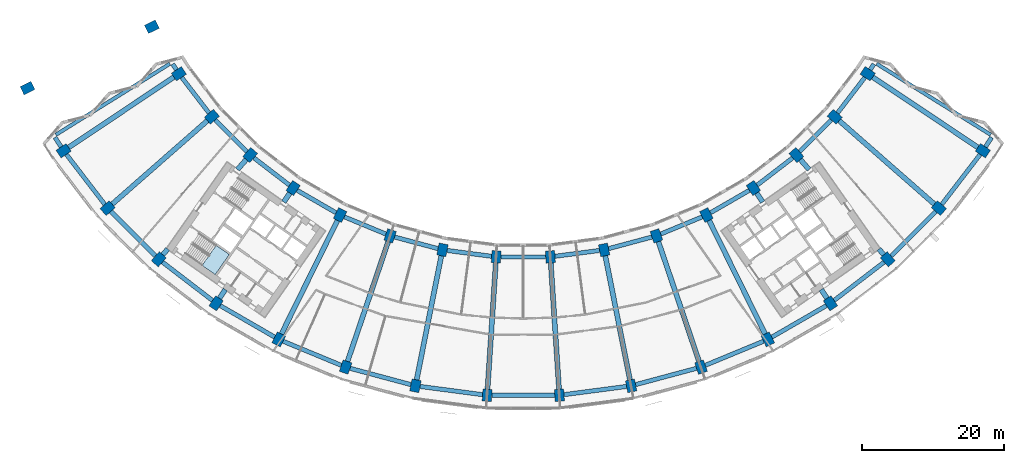
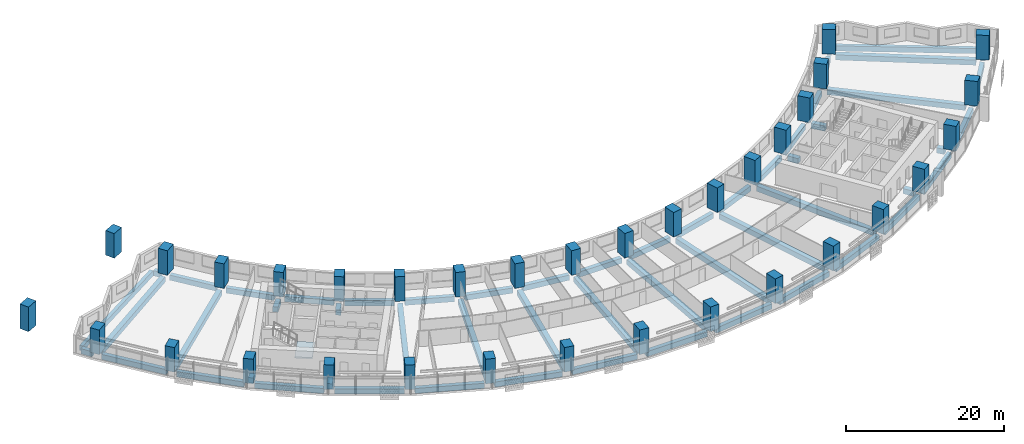
# One storey, part 1 of 31: 56 beams, 34 columns, 1 slab, 1 element without a shape of its own.
"""IFC4 building model written with IfcOpenShell, lengths in metres."""

from ifc_helpers import new_model, si_unit, direction, frame, origin, origin_2d, place, context, subcontext, project, spatial, polyline, rectangle, outline, extrude, material, layer, layer_set, material_profile, profile_set, type_object, element, aggregate, save


model = new_model("IFC4")

# Units and contexts
model_context = context("Model", 3, precision=1e-05, world=origin(), true_north=direction((0.0, 1.0)))
body_context = subcontext(model_context, "Body", "Model", "MODEL_VIEW")
ifc_project = project(units=[si_unit("LENGTHUNIT", "METRE"), si_unit("AREAUNIT", "SQUARE_METRE"), si_unit("VOLUMEUNIT", "CUBIC_METRE"), si_unit("PLANEANGLEUNIT", "RADIAN"), si_unit("MASSUNIT", "GRAM", prefix="KILO")], contexts=[model_context])

# Site, building, storey
site_placement = place(None, origin())
site = spatial("IfcSite", under=ifc_project, at=site_placement, CompositionType="ELEMENT")
building_placement = place(site_placement, origin())
building = spatial("IfcBuilding", under=site, at=building_placement, Name="Qamariyya Broadcast Tower", CompositionType="ELEMENT")
storey_placement = place(building_placement, frame((0.0, 0.0, 59.5)))
storey = spatial("IfcBuildingStorey", under=building, at=storey_placement, Name="L11", CompositionType="ELEMENT", Elevation=59.5)

# Columns
ifc_material_1 = material(Name="Concrete C70/85", Category="concrete")
ifc_material_profile_1 = material_profile(ifc_material_1, rectangle(XDim=1.300048828125, YDim=1.699951171875, at=origin_2d()))
ifc_profile_set_1 = profile_set([ifc_material_profile_1], Name="Concrete C70/85")
column_type = type_object("IfcColumnType", Name="RC column 1300 x 1700 C70/85", PredefinedType="COLUMN", material=ifc_profile_set_1)
for number, where, z_axis, x_axis, name in (
    (1, (-48.43310546875, -32.362060546875, 0.0), (0.0, 0.0, 1.0), (0.55557023302, -0.831469612303, 0.0), "Column C5 L11 B-R03"),
    (2, (-64.646728515625, -43.195556640625, 0.0), (0.0, 0.0, 1.0), (0.55557023302, -0.831469612303, 0.0), "Column C5 L11 C-R03"),
    (3, (-43.794677734375, -38.406982421875, 0.0), (0.0, 0.0, 1.0), (0.6593458151, -0.751839807479, 0.0), "Column C5 L11 B-R04"),
    (4, (-58.45556640625, -51.26416015625, 0.0), (0.0, 0.0, 1.0), (0.6593458151, -0.751839807479, 0.0), "Column C5 L11 C-R04"),
    (5, (-38.406982421875, -43.794677734375, 0.0), (0.0, 0.0, 1.0), (0.751839807479, -0.6593458151, 0.0), "Column C5 L11 B-R05"),
    (6, (-51.26416015625, -58.45556640625, 0.0), (0.0, 0.0, 1.0), (0.751839807479, -0.6593458151, 0.0), "Column C5 L11 C-R05"),
    (7, (-32.362060546875, -48.43310546875, 0.0), (0.0, 0.0, 1.0), (0.831469612303, -0.55557023302, 0.0), "Column C5 L11 B-R06"),
    (8, (-43.195556640625, -64.646728515625, 0.0), (0.0, 0.0, 1.0), (0.831469612303, -0.55557023302, 0.0), "Column C5 L11 C-R06"),
    (9, (-25.763427734375, -52.242919921875, 0.0), (0.0, 0.0, 1.0), (0.896872741533, -0.442288690219, 0.0), "Column C5 L11 B-R07"),
    (10, (-34.387939453125, -69.73193359375, 0.0), (0.0, 0.0, 1.0), (0.896872741533, -0.442288690219, 0.0), "Column C5 L11 C-R07"),
    (11, (-18.723876953125, -55.15869140625, 0.0), (0.0, 0.0, 1.0), (0.946930129495, -0.321439465303, 0.0), "Column C5 L11 B-R08"),
    (12, (-24.991943359375, -73.623779296875, 0.0), (0.0, 0.0, 1.0), (0.946930129495, -0.321439465303, 0.0), "Column C5 L11 C-R08"),
    (13, (-11.364013671875, -57.130859375, 0.0), (0.0, 0.0, 1.0), (0.980785280403, -0.195090322016, 0.0), "Column C5 L11 B-R09"),
    (14, (-15.168212890625, -76.256103515625, 0.0), (0.0, 0.0, 1.0), (0.980785280403, -0.195090322016, 0.0), "Column C5 L11 C-R09"),
    (15, (-3.809814453125, -58.125244140625, 0.0), (0.0, 0.0, 1.0), (0.997858923239, -0.06540312923, 0.0), "Column C5 L11 B-R10"),
    (16, (-5.085205078125, -77.58349609375, 0.0), (0.0, 0.0, 1.0), (0.997858923239, -0.06540312923, 0.0), "Column C5 L11 C-R10"),
    (17, (3.809814453125, -58.125244140625, 0.0), (0.0, 0.0, 1.0), (0.997858923239, 0.06540312923, 0.0), "Column C5 L11 B-R11"),
    (18, (5.085205078125, -77.58349609375, 0.0), (0.0, 0.0, 1.0), (0.997858923239, 0.06540312923, 0.0), "Column C5 L11 C-R11"),
    (19, (11.364013671875, -57.130859375, 0.0), (0.0, 0.0, 1.0), (0.980785280403, 0.195090322016, 0.0), "Column C5 L11 B-R12"),
    (20, (15.168212890625, -76.256103515625, 0.0), (0.0, 0.0, 1.0), (0.980785280403, 0.195090322016, 0.0), "Column C5 L11 C-R12"),
    (21, (18.723876953125, -55.15869140625, 0.0), (0.0, 0.0, 1.0), (0.946930129495, 0.321439465303, 0.0), "Column C5 L11 B-R13"),
    (22, (24.991943359375, -73.623779296875, 0.0), (0.0, 0.0, 1.0), (0.946930129495, 0.321439465303, 0.0), "Column C5 L11 C-R13"),
    (23, (25.763427734375, -52.242919921875, 0.0), (0.0, 0.0, 1.0), (0.896872741533, 0.442288690219, 0.0), "Column C5 L11 B-R14"),
    (24, (34.387939453125, -69.73193359375, 0.0), (0.0, 0.0, 1.0), (0.896872741533, 0.442288690219, 0.0), "Column C5 L11 C-R14"),
    (25, (32.362060546875, -48.43310546875, 0.0), (0.0, 0.0, 1.0), (0.831469612303, 0.55557023302, 0.0), "Column C5 L11 B-R15"),
    (26, (43.195556640625, -64.646728515625, 0.0), (0.0, 0.0, 1.0), (0.831469612303, 0.55557023302, 0.0), "Column C5 L11 C-R15"),
    (27, (38.406982421875, -43.794677734375, 0.0), (0.0, 0.0, 1.0), (0.751839807479, 0.6593458151, 0.0), "Column C5 L11 B-R16"),
    (28, (51.26416015625, -58.45556640625, 0.0), (0.0, 0.0, 1.0), (0.751839807479, 0.6593458151, 0.0), "Column C5 L11 C-R16"),
    (29, (43.794677734375, -38.406982421875, 0.0), (0.0, 0.0, 1.0), (0.6593458151, 0.751839807479, 0.0), "Column C5 L11 B-R17"),
    (30, (58.45556640625, -51.26416015625, 0.0), (0.0, 0.0, 1.0), (0.6593458151, 0.751839807479, 0.0), "Column C5 L11 C-R17"),
    (31, (48.43310546875, -32.362060546875, 0.0), (0.0, 0.0, 1.0), (0.55557023302, 0.831469612303, 0.0), "Column C5 L11 B-R18"),
    (32, (64.646728515625, -43.195556640625, 0.0), (0.0, 0.0, 1.0), (0.55557023302, 0.831469612303, 0.0), "Column C5 L11 C-R18"),
    (33, (-52.242919921875, -25.763427734375, 0.0), (0.0, 0.0, 1.0), (0.442288690219, -0.896872741533, 0.0), "Column C5 L11 B-R02"),
    (34, (-69.73193359375, -34.387939453125, 0.0), (0.0, 0.0, 1.0), (0.442288690219, -0.896872741533, 0.0), "Column C5 L11 C-R02"),
):
    element("IfcColumn", number, at=place(storey_placement, frame(where, z_axis=z_axis, x_axis=x_axis)), inside=storey, type_object=column_type, Name=name, PredefinedType="COLUMN", context=body_context, shape_type="SweptSolid", body=[
        extrude(rectangle(XDim=1.300048828125, YDim=1.699951171875, at=origin_2d()), origin(), (0.0, 0.0, 1.0), 3.800048828125),
    ])

# Beams
ifc_material_2 = material(Name="Concrete C50/60", Category="concrete")
ifc_material_profile_2 = material_profile(ifc_material_2, rectangle(XDim=0.60009765625, YDim=0.800048828125, at=origin_2d()))
ifc_profile_set_2 = profile_set([ifc_material_profile_2], Name="Concrete C50/60")
beam_type_1 = type_object("IfcBeamType", Name="RC edge beam 600 x 800 C50/60", PredefinedType="SPANDREL", material=ifc_profile_set_2)
beam_1_placement = place(storey_placement, frame((-48.03662109375, -32.878662109375, -0.699951171875), z_axis=(0.608763348773, -0.7933518672, 0.0), x_axis=(0.7933518672, 0.608763348773, 0.0)))
element("IfcBeam", 35, at=beam_1_placement, inside=storey, type_object=beam_type_1, Name="Edge beam B6 L11 B R03-R04", PredefinedType="SPANDREL", context=body_context, shape_type="SweptSolid", body=[
    extrude(rectangle(XDim=0.60009765625, YDim=0.800048828125, at=origin_2d()), origin(), (0.0, 0.0, 1.0), 6.31689453125),
])
beam_2_placement = place(storey_placement, frame((-43.333984375, -38.867431640625, -0.699951171875), z_axis=(0.707106781187, -0.707106781187, 0.0), x_axis=(0.707106781187, 0.707106781187, 0.0)))
element("IfcBeam", 36, at=beam_2_placement, inside=storey, type_object=beam_type_1, Name="Edge beam B6 L11 B R04-R05", PredefinedType="SPANDREL", context=body_context, shape_type="SweptSolid", body=[
    extrude(rectangle(XDim=0.60009765625, YDim=0.800048828125, at=origin_2d()), origin(), (0.0, 0.0, 1.0), 6.316650390625),
])
for number, where, z_axis, x_axis, name in (
    (37, (-37.89013671875, -44.191162109375, -0.699951171875), (0.7933518672, -0.608763348773, 0.0), (0.608763348773, 0.7933518672, 0.0), "Edge beam B6 L11 B R05-R06"),
    (38, (-31.7978515625, -48.7587890625, -0.699951171875), (0.866020173512, -0.500009058987, 0.0), (0.500009058987, 0.866020173512, 0.0), "Edge beam B6 L11 B R06-R07"),
):
    element("IfcBeam", number, at=place(storey_placement, frame(where, z_axis=z_axis, x_axis=x_axis)), inside=storey, type_object=beam_type_1, Name=name, PredefinedType="SPANDREL", context=body_context, shape_type="SweptSolid", body=[
        extrude(rectangle(XDim=0.60009765625, YDim=0.800048828125, at=origin_2d()), origin(), (0.0, 0.0, 1.0), 6.31689453125),
    ])
for number, where, z_axis, x_axis, name in (
    (39, (-25.16162109375, -52.4921875, -0.699951171875), (0.923884465345, -0.382671523234, 0.0), (0.382671523234, 0.923884465345, 0.0), "Edge beam B6 L11 B R07-R08"),
    (40, (-18.0947265625, -55.327392578125, -0.699951171875), (0.965931490327, -0.258797905699, 0.0), (0.258797905699, 0.965931490327, 0.0), "Edge beam B6 L11 B R08-R09"),
    (41, (-10.71826171875, -57.2158203125, -0.699951171875), (0.991445610946, -0.130520498525, 0.0), (0.130520498525, 0.991445610946, 0.0), "Edge beam B6 L11 B R09-R10"),
):
    element("IfcBeam", number, at=place(storey_placement, frame(where, z_axis=z_axis, x_axis=x_axis)), inside=storey, type_object=beam_type_1, Name=name, PredefinedType="SPANDREL", context=body_context, shape_type="SweptSolid", body=[
        extrude(rectangle(XDim=0.60009765625, YDim=0.800048828125, at=origin_2d()), origin(), (0.0, 0.0, 1.0), 6.316650390625),
    ])
beam_3_placement = place(storey_placement, frame((-3.158447265625, -58.125244140625, -0.699951171875), z_axis=(1.0, 0.0, 0.0), x_axis=(0.0, 1.0, 0.0)))
element("IfcBeam", 42, at=beam_3_placement, inside=storey, type_object=beam_type_1, Name="Edge beam B6 L11 B R10-R11", PredefinedType="SPANDREL", context=body_context, shape_type="SweptSolid", body=[
    extrude(rectangle(XDim=0.60009765625, YDim=0.800048828125, at=origin_2d()), origin(), (0.0, 0.0, 1.0), 6.31689453125),
])
for number, where, z_axis, x_axis, name in (
    (43, (4.45556640625, -58.040283203125, -0.699951171875), (0.991445610946, 0.130520498525, 0.0), (-0.130520498525, 0.991445610946, 0.0), "Edge beam B6 L11 B R11-R12"),
    (44, (11.9931640625, -56.962158203125, -0.699951171875), (0.965931490327, 0.258797905699, 0.0), (-0.258797905699, 0.965931490327, 0.0), "Edge beam B6 L11 B R12-R13"),
    (45, (19.32568359375, -54.909423828125, -0.699951171875), (0.923884465345, 0.382671523234, 0.0), (-0.382671523234, 0.923884465345, 0.0), "Edge beam B6 L11 B R13-R14"),
):
    element("IfcBeam", number, at=place(storey_placement, frame(where, z_axis=z_axis, x_axis=x_axis)), inside=storey, type_object=beam_type_1, Name=name, PredefinedType="SPANDREL", context=body_context, shape_type="SweptSolid", body=[
        extrude(rectangle(XDim=0.60009765625, YDim=0.800048828125, at=origin_2d()), origin(), (0.0, 0.0, 1.0), 6.316650390625),
    ])
for number, where, z_axis, x_axis, name in (
    (46, (26.327392578125, -51.917236328125, -0.699951171875), (0.866020173512, 0.500009058987, 0.0), (-0.500009058987, 0.866020173512, 0.0), "Edge beam B6 L11 B R14-R15"),
    (47, (32.878662109375, -48.03662109375, -0.699951171875), (0.7933518672, 0.608763348773, 0.0), (-0.608763348773, 0.7933518672, 0.0), "Edge beam B6 L11 B R15-R16"),
):
    element("IfcBeam", number, at=place(storey_placement, frame(where, z_axis=z_axis, x_axis=x_axis)), inside=storey, type_object=beam_type_1, Name=name, PredefinedType="SPANDREL", context=body_context, shape_type="SweptSolid", body=[
        extrude(rectangle(XDim=0.60009765625, YDim=0.800048828125, at=origin_2d()), origin(), (0.0, 0.0, 1.0), 6.31689453125),
    ])
beam_4_placement = place(storey_placement, frame((38.867431640625, -43.333984375, -0.699951171875), z_axis=(0.707106781187, 0.707106781187, 0.0), x_axis=(-0.707106781187, 0.707106781187, 0.0)))
element("IfcBeam", 48, at=beam_4_placement, inside=storey, type_object=beam_type_1, Name="Edge beam B6 L11 B R16-R17", PredefinedType="SPANDREL", context=body_context, shape_type="SweptSolid", body=[
    extrude(rectangle(XDim=0.60009765625, YDim=0.800048828125, at=origin_2d()), origin(), (0.0, 0.0, 1.0), 6.316650390625),
])
beam_5_placement = place(storey_placement, frame((44.191162109375, -37.89013671875, -0.699951171875), z_axis=(0.608763348773, 0.7933518672, 0.0), x_axis=(-0.7933518672, 0.608763348773, 0.0)))
element("IfcBeam", 49, at=beam_5_placement, inside=storey, type_object=beam_type_1, Name="Edge beam B6 L11 B R17-R18", PredefinedType="SPANDREL", context=body_context, shape_type="SweptSolid", body=[
    extrude(rectangle(XDim=0.60009765625, YDim=0.800048828125, at=origin_2d()), origin(), (0.0, 0.0, 1.0), 6.31689453125),
])
beam_6_placement = place(storey_placement, frame((-64.250244140625, -43.71240234375, -0.699951171875), z_axis=(0.608769622928, -0.793347052809, 0.0), x_axis=(0.793347052809, 0.608769622928, 0.0)))
element("IfcBeam", 50, at=beam_6_placement, inside=storey, type_object=beam_type_1, Name="Edge beam B6 L11 C R03-R04", PredefinedType="SPANDREL", context=body_context, shape_type="SweptSolid", body=[
    extrude(rectangle(XDim=0.60009765625, YDim=0.800048828125, at=origin_2d()), origin(), (0.0, 0.0, 1.0), 8.867431640625),
])
beam_7_placement = place(storey_placement, frame((-57.994873046875, -51.724853515625, -0.699951171875), z_axis=(0.707106781187, -0.707106781187, 0.0), x_axis=(0.707106781187, 0.707106781187, 0.0)))
element("IfcBeam", 51, at=beam_7_placement, inside=storey, type_object=beam_type_1, Name="Edge beam B6 L11 C R04-R05", PredefinedType="SPANDREL", context=body_context, shape_type="SweptSolid", body=[
    extrude(rectangle(XDim=0.60009765625, YDim=0.800048828125, at=origin_2d()), origin(), (0.0, 0.0, 1.0), 8.8671875),
])
beam_8_placement = place(storey_placement, frame((-50.747314453125, -58.85205078125, -0.699951171875), z_axis=(0.793347052809, -0.608769622928, 0.0), x_axis=(0.608769622928, 0.793347052809, 0.0)))
element("IfcBeam", 52, at=beam_8_placement, inside=storey, type_object=beam_type_1, Name="Edge beam B6 L11 C R05-R06", PredefinedType="SPANDREL", context=body_context, shape_type="SweptSolid", body=[
    extrude(rectangle(XDim=0.60009765625, YDim=0.800048828125, at=origin_2d()), origin(), (0.0, 0.0, 1.0), 8.867431640625),
])
beam_9_placement = place(storey_placement, frame((-42.63134765625, -64.972412109375, -0.699951171875), z_axis=(0.866013187848, -0.500021158025, 0.0), x_axis=(0.500021158025, 0.866013187848, 0.0)))
element("IfcBeam", 53, at=beam_9_placement, inside=storey, type_object=beam_type_1, Name="Edge beam B6 L11 C R06-R07", PredefinedType="SPANDREL", context=body_context, shape_type="SweptSolid", body=[
    extrude(rectangle(XDim=0.60009765625, YDim=0.800048828125, at=origin_2d()), origin(), (0.0, 0.0, 1.0), 8.8671875),
])
for number, where, z_axis, x_axis, name in (
    (54, (-33.7861328125, -69.981201171875, -0.699951171875), (0.923882942367, -0.382675200142, 0.0), (0.382675200142, 0.923882942367, 0.0), "Edge beam B6 L11 C R07-R08"),
    (55, (-24.36279296875, -73.79248046875, -0.699951171875), (0.965930847021, -0.258800306749, 0.0), (0.258800306749, 0.965930847021, 0.0), "Edge beam B6 L11 C R08-R09"),
    (56, (-14.5224609375, -76.341064453125, -0.699951171875), (0.991444171706, -0.13053143066, 0.0), (0.13053143066, 0.991444171706, 0.0), "Edge beam B6 L11 C R09-R10"),
):
    element("IfcBeam", number, at=place(storey_placement, frame(where, z_axis=z_axis, x_axis=x_axis)), inside=storey, type_object=beam_type_1, Name=name, PredefinedType="SPANDREL", context=body_context, shape_type="SweptSolid", body=[
        extrude(rectangle(XDim=0.60009765625, YDim=0.800048828125, at=origin_2d()), origin(), (0.0, 0.0, 1.0), 8.867431640625),
    ])
beam_10_placement = place(storey_placement, frame((-4.43359375, -77.58349609375, -0.699951171875), z_axis=(1.0, 0.0, 0.0), x_axis=(0.0, 1.0, 0.0)))
element("IfcBeam", 57, at=beam_10_placement, inside=storey, type_object=beam_type_1, Name="Edge beam B6 L11 C R10-R11", PredefinedType="SPANDREL", context=body_context, shape_type="SweptSolid", body=[
    extrude(rectangle(XDim=0.60009765625, YDim=0.800048828125, at=origin_2d()), origin(), (0.0, 0.0, 1.0), 8.8671875),
])
for number, where, z_axis, x_axis, name in (
    (58, (5.73095703125, -77.49853515625, -0.699951171875), (0.991444171706, 0.13053143066, 0.0), (-0.13053143066, 0.991444171706, 0.0), "Edge beam B6 L11 C R11-R12"),
    (59, (15.79736328125, -76.08740234375, -0.699951171875), (0.965930847021, 0.258800306749, 0.0), (-0.258800306749, 0.965930847021, 0.0), "Edge beam B6 L11 C R12-R13"),
    (60, (25.59375, -73.37451171875, -0.699951171875), (0.923882942367, 0.382675200142, 0.0), (-0.382675200142, 0.923882942367, 0.0), "Edge beam B6 L11 C R13-R14"),
):
    element("IfcBeam", number, at=place(storey_placement, frame(where, z_axis=z_axis, x_axis=x_axis)), inside=storey, type_object=beam_type_1, Name=name, PredefinedType="SPANDREL", context=body_context, shape_type="SweptSolid", body=[
        extrude(rectangle(XDim=0.60009765625, YDim=0.800048828125, at=origin_2d()), origin(), (0.0, 0.0, 1.0), 8.867431640625),
    ])
beam_11_placement = place(storey_placement, frame((34.9521484375, -69.40625, -0.699951171875), z_axis=(0.866013187848, 0.500021158025, 0.0), x_axis=(-0.500021158025, 0.866013187848, 0.0)))
element("IfcBeam", 61, at=beam_11_placement, inside=storey, type_object=beam_type_1, Name="Edge beam B6 L11 C R14-R15", PredefinedType="SPANDREL", context=body_context, shape_type="SweptSolid", body=[
    extrude(rectangle(XDim=0.60009765625, YDim=0.800048828125, at=origin_2d()), origin(), (0.0, 0.0, 1.0), 8.8671875),
])
beam_12_placement = place(storey_placement, frame((43.71240234375, -64.250244140625, -0.699951171875), z_axis=(0.793347052809, 0.608769622928, 0.0), x_axis=(-0.608769622928, 0.793347052809, 0.0)))
element("IfcBeam", 62, at=beam_12_placement, inside=storey, type_object=beam_type_1, Name="Edge beam B6 L11 C R15-R16", PredefinedType="SPANDREL", context=body_context, shape_type="SweptSolid", body=[
    extrude(rectangle(XDim=0.60009765625, YDim=0.800048828125, at=origin_2d()), origin(), (0.0, 0.0, 1.0), 8.867431640625),
])
beam_13_placement = place(storey_placement, frame((51.724853515625, -57.994873046875, -0.699951171875), z_axis=(0.707106781187, 0.707106781187, 0.0), x_axis=(-0.707106781187, 0.707106781187, 0.0)))
element("IfcBeam", 63, at=beam_13_placement, inside=storey, type_object=beam_type_1, Name="Edge beam B6 L11 C R16-R17", PredefinedType="SPANDREL", context=body_context, shape_type="SweptSolid", body=[
    extrude(rectangle(XDim=0.60009765625, YDim=0.800048828125, at=origin_2d()), origin(), (0.0, 0.0, 1.0), 8.8671875),
])
beam_14_placement = place(storey_placement, frame((58.85205078125, -50.747314453125, -0.699951171875), z_axis=(0.608769622928, 0.793347052809, 0.0), x_axis=(-0.793347052809, 0.608769622928, 0.0)))
element("IfcBeam", 64, at=beam_14_placement, inside=storey, type_object=beam_type_1, Name="Edge beam B6 L11 C R17-R18", PredefinedType="SPANDREL", context=body_context, shape_type="SweptSolid", body=[
    extrude(rectangle(XDim=0.60009765625, YDim=0.800048828125, at=origin_2d()), origin(), (0.0, 0.0, 1.0), 8.867431640625),
])
ifc_material_profile_3 = material_profile(ifc_material_2, rectangle(XDim=0.60009765625, YDim=0.800048828125, at=origin_2d()))
ifc_profile_set_3 = profile_set([ifc_material_profile_3], Name="Concrete C50/60")
beam_type_2 = type_object("IfcBeamType", Name="RC horn beam 600 x 800 C50/60", PredefinedType="BEAM", material=ifc_profile_set_3)
beam_15_placement = place(storey_placement, frame((-48.78564453125, -31.815673828125, -0.699951171875), z_axis=(-0.542167320302, 0.840270549762, 0.0), x_axis=(-0.840270549762, -0.542167320302, 0.0)))
element("IfcBeam", 65, at=beam_15_placement, inside=storey, type_object=beam_type_2, Name="Horn beam B7 L11 W B-R03", PredefinedType="BEAM", context=body_context, shape_type="SweptSolid", body=[
    extrude(rectangle(XDim=0.60009765625, YDim=0.800048828125, at=origin_2d()), origin(), (0.0, 0.0, 1.0), 0.96240234375),
])
beam_16_placement = place(storey_placement, frame((-64.999267578125, -42.6494140625, -0.699951171875), z_axis=(-0.542204011088, 0.840246874651, 0.0), x_axis=(-0.840246874651, -0.542204011088, 0.0)))
element("IfcBeam", 66, at=beam_16_placement, inside=storey, type_object=beam_type_2, Name="Horn beam B7 L11 W C-R03", PredefinedType="BEAM", context=body_context, shape_type="SweptSolid", body=[
    extrude(rectangle(XDim=0.60009765625, YDim=0.800048828125, at=origin_2d()), origin(), (0.0, 0.0, 1.0), 1.5859375),
])
beam_17_placement = place(storey_placement, frame((48.78564453125, -31.815673828125, -0.699951171875), z_axis=(0.542167320302, 0.840270549762, 0.0), x_axis=(-0.840270549762, 0.542167320302, 0.0)))
element("IfcBeam", 67, at=beam_17_placement, inside=storey, type_object=beam_type_2, Name="Horn beam B7 L11 E B-R18", PredefinedType="BEAM", context=body_context, shape_type="SweptSolid", body=[
    extrude(rectangle(XDim=0.60009765625, YDim=0.800048828125, at=origin_2d()), origin(), (0.0, 0.0, 1.0), 0.96240234375),
])
beam_18_placement = place(storey_placement, frame((64.999267578125, -42.6494140625, -0.699951171875), z_axis=(0.542204011088, 0.840246874651, 0.0), x_axis=(-0.840246874651, 0.542204011088, 0.0)))
element("IfcBeam", 68, at=beam_18_placement, inside=storey, type_object=beam_type_2, Name="Horn beam B7 L11 E C-R18", PredefinedType="BEAM", context=body_context, shape_type="SweptSolid", body=[
    extrude(rectangle(XDim=0.60009765625, YDim=0.800048828125, at=origin_2d()), origin(), (0.0, 0.0, 1.0), 1.5859375),
])
ifc_material_profile_4 = material_profile(ifc_material_2, rectangle(XDim=0.5, YDim=0.800048828125, at=origin_2d()))
ifc_profile_set_4 = profile_set([ifc_material_profile_4], Name="Concrete C50/60")
beam_type_3 = type_object("IfcBeamType", Name="RC horn cap beam 500 x 800 C50/60", PredefinedType="BEAM", material=ifc_profile_set_4)
for number, where, z_axis, x_axis, name in (
    (69, (-49.697509765625, -30.955810546875, -0.699951171875), (-0.848808645241, -0.528700183246, 0.0), (0.528700183246, -0.848808645241, 0.0), "Horn cap beam B8 L11 W B-C"),
    (70, (49.697509765625, -30.955810546875, -0.699951171875), (0.848808645241, -0.528700183246, 0.0), (0.528700183246, 0.848808645241, 0.0), "Horn cap beam B8 L11 E B-C"),
):
    element("IfcBeam", number, at=place(storey_placement, frame(where, z_axis=z_axis, x_axis=x_axis)), inside=storey, type_object=beam_type_3, Name=name, PredefinedType="BEAM", context=body_context, shape_type="SweptSolid", body=[
        extrude(rectangle(XDim=0.5, YDim=0.800048828125, at=origin_2d()), origin(), (0.0, 0.0, 1.0), 18.89990234375),
    ])
ifc_material_profile_5 = material_profile(ifc_material_2, rectangle(XDim=0.699951171875, YDim=0.800048828125, at=origin_2d()))
ifc_profile_set_5 = profile_set([ifc_material_profile_5], Name="Concrete C50/60")
beam_type_4 = type_object("IfcBeamType", Name="RC radial beam 700 x 800 C50/60", PredefinedType="BEAM", material=ifc_profile_set_5)
for number, where, z_axis, x_axis, name in (
    (71, (-49.139892578125, -32.834228515625, -0.699951171875), (-0.831467440413, -0.555573483469, 0.0), (0.555573483469, -0.831467440413, 0.0), "Radial beam B5 L11 R03 B-C"),
    (72, (-44.433837890625, -38.96728515625, -0.699951171875), (-0.751836168626, -0.659349964393, 0.0), (0.659349964393, -0.751836168626, 0.0), "Radial beam B5 L11 R04 B-C"),
):
    element("IfcBeam", number, at=place(storey_placement, frame(where, z_axis=z_axis, x_axis=x_axis)), inside=storey, type_object=beam_type_4, Name=name, PredefinedType="BEAM", context=body_context, shape_type="SweptSolid", body=[
        extrude(rectangle(XDim=0.699951171875, YDim=0.800048828125, at=origin_2d()), origin(), (0.0, 0.0, 1.0), 17.7998046875),
    ])
beam_19_placement = place(storey_placement, frame((-38.96728515625, -44.433837890625, -0.699951171875), z_axis=(-0.659385827408, -0.751804715743, 0.0), x_axis=(0.751804715743, -0.659385827408, 0.0)))
element("IfcBeam", 73, at=beam_19_placement, inside=storey, type_object=beam_type_4, Name="Radial beam B5 L11 R05 B-C", PredefinedType="BEAM", context=body_context, shape_type="SweptSolid", body=[
    extrude(rectangle(XDim=0.699951171875, YDim=0.800048828125, at=origin_2d()), origin(), (0.0, 0.0, 1.0), 1.8623046875),
])
beam_20_placement = place(storey_placement, frame((-50.011962890625, -57.027587890625, -0.699951171875), z_axis=(-0.659278599496, -0.751898748667, 0.0), x_axis=(0.751898748667, -0.659278599496, 0.0)))
element("IfcBeam", 74, at=beam_20_placement, inside=storey, type_object=beam_type_4, Name="Radial beam B5 L11 R05 B-C", PredefinedType="BEAM", context=body_context, shape_type="SweptSolid", body=[
    extrude(rectangle(XDim=0.699951171875, YDim=0.800048828125, at=origin_2d()), origin(), (0.0, 0.0, 1.0), 1.049072265625),
])
beam_21_placement = place(storey_placement, frame((-32.834228515625, -49.139892578125, -0.699951171875), z_axis=(-0.555518362002, -0.831504269068, 0.0), x_axis=(0.831504269068, -0.555518362002, 0.0)))
element("IfcBeam", 75, at=beam_21_placement, inside=storey, type_object=beam_type_4, Name="Radial beam B5 L11 R06 B-C", PredefinedType="BEAM", context=body_context, shape_type="SweptSolid", body=[
    extrude(rectangle(XDim=0.699951171875, YDim=0.800048828125, at=origin_2d()), origin(), (0.0, 0.0, 1.0), 1.514404296875),
])
beam_22_placement = place(storey_placement, frame((-41.89990234375, -62.707763671875, -0.699951171875), z_axis=(-0.555650227013, -0.831416156459, 0.0), x_axis=(0.831416156459, -0.555650227013, 0.0)))
element("IfcBeam", 76, at=beam_22_placement, inside=storey, type_object=beam_type_4, Name="Radial beam B5 L11 R06 B-C", PredefinedType="BEAM", context=body_context, shape_type="SweptSolid", body=[
    extrude(rectangle(XDim=0.699951171875, YDim=0.800048828125, at=origin_2d()), origin(), (0.0, 0.0, 1.0), 1.48193359375),
])
beam_23_placement = place(storey_placement, frame((-26.13916015625, -53.005126953125, -0.699951171875), z_axis=(-0.442291123934, -0.896871541353, 0.0), x_axis=(0.896871541353, -0.442291123934, 0.0)))
element("IfcBeam", 77, at=beam_23_placement, inside=storey, type_object=beam_type_4, Name="Radial beam B5 L11 R07 B-C", PredefinedType="BEAM", context=body_context, shape_type="SweptSolid", body=[
    extrude(rectangle(XDim=0.699951171875, YDim=0.800048828125, at=origin_2d()), origin(), (0.0, 0.0, 1.0), 17.800048828125),
])
beam_24_placement = place(storey_placement, frame((-18.9970703125, -55.963623046875, -0.699951171875), z_axis=(-0.321444599042, -0.94692838681, 0.0), x_axis=(0.94692838681, -0.321444599042, 0.0)))
element("IfcBeam", 78, at=beam_24_placement, inside=storey, type_object=beam_type_4, Name="Radial beam B5 L11 R08 B-C", PredefinedType="BEAM", context=body_context, shape_type="SweptSolid", body=[
    extrude(rectangle(XDim=0.699951171875, YDim=0.800048828125, at=origin_2d()), origin(), (0.0, 0.0, 1.0), 17.7998046875),
])
for number, where, z_axis, x_axis, name in (
    (79, (-11.52978515625, -57.96435546875, -0.699951171875), (-0.19509262344, -0.980784822619, 0.0), (0.980784822619, -0.19509262344, 0.0), "Radial beam B5 L11 R09 B-C"),
    (80, (-3.865234375, -58.973388671875, -0.699951171875), (-0.0654101824, -0.997858460924, 0.0), (0.997858460924, -0.0654101824, 0.0), "Radial beam B5 L11 R10 B-C"),
    (81, (3.865234375, -58.973388671875, -0.699951171875), (0.0654101824, -0.997858460924, 0.0), (0.997858460924, 0.0654101824, 0.0), "Radial beam B5 L11 R11 B-C"),
    (82, (11.52978515625, -57.96435546875, -0.699951171875), (0.19509262344, -0.980784822619, 0.0), (0.980784822619, 0.19509262344, 0.0), "Radial beam B5 L11 R12 B-C"),
):
    element("IfcBeam", number, at=place(storey_placement, frame(where, z_axis=z_axis, x_axis=x_axis)), inside=storey, type_object=beam_type_4, Name=name, PredefinedType="BEAM", context=body_context, shape_type="SweptSolid", body=[
        extrude(rectangle(XDim=0.699951171875, YDim=0.800048828125, at=origin_2d()), origin(), (0.0, 0.0, 1.0), 17.800048828125),
    ])
beam_25_placement = place(storey_placement, frame((18.9970703125, -55.963623046875, -0.699951171875), z_axis=(0.321444599042, -0.94692838681, 0.0), x_axis=(0.94692838681, 0.321444599042, 0.0)))
element("IfcBeam", 83, at=beam_25_placement, inside=storey, type_object=beam_type_4, Name="Radial beam B5 L11 R13 B-C", PredefinedType="BEAM", context=body_context, shape_type="SweptSolid", body=[
    extrude(rectangle(XDim=0.699951171875, YDim=0.800048828125, at=origin_2d()), origin(), (0.0, 0.0, 1.0), 17.7998046875),
])
beam_26_placement = place(storey_placement, frame((26.13916015625, -53.005126953125, -0.699951171875), z_axis=(0.442291123934, -0.896871541353, 0.0), x_axis=(0.896871541353, 0.442291123934, 0.0)))
element("IfcBeam", 84, at=beam_26_placement, inside=storey, type_object=beam_type_4, Name="Radial beam B5 L11 R14 B-C", PredefinedType="BEAM", context=body_context, shape_type="SweptSolid", body=[
    extrude(rectangle(XDim=0.699951171875, YDim=0.800048828125, at=origin_2d()), origin(), (0.0, 0.0, 1.0), 17.800048828125),
])
beam_27_placement = place(storey_placement, frame((32.834228515625, -49.139892578125, -0.699951171875), z_axis=(0.555518362002, -0.831504269068, 0.0), x_axis=(0.831504269068, 0.555518362002, 0.0)))
element("IfcBeam", 85, at=beam_27_placement, inside=storey, type_object=beam_type_4, Name="Radial beam B5 L11 R15 B-C", PredefinedType="BEAM", context=body_context, shape_type="SweptSolid", body=[
    extrude(rectangle(XDim=0.699951171875, YDim=0.800048828125, at=origin_2d()), origin(), (0.0, 0.0, 1.0), 1.514404296875),
])
beam_28_placement = place(storey_placement, frame((41.89990234375, -62.707763671875, -0.699951171875), z_axis=(0.555650227013, -0.831416156459, 0.0), x_axis=(0.831416156459, 0.555650227013, 0.0)))
element("IfcBeam", 86, at=beam_28_placement, inside=storey, type_object=beam_type_4, Name="Radial beam B5 L11 R15 B-C", PredefinedType="BEAM", context=body_context, shape_type="SweptSolid", body=[
    extrude(rectangle(XDim=0.699951171875, YDim=0.800048828125, at=origin_2d()), origin(), (0.0, 0.0, 1.0), 1.48193359375),
])
beam_29_placement = place(storey_placement, frame((38.96728515625, -44.433837890625, -0.699951171875), z_axis=(0.659385827408, -0.751804715743, 0.0), x_axis=(0.751804715743, 0.659385827408, 0.0)))
element("IfcBeam", 87, at=beam_29_placement, inside=storey, type_object=beam_type_4, Name="Radial beam B5 L11 R16 B-C", PredefinedType="BEAM", context=body_context, shape_type="SweptSolid", body=[
    extrude(rectangle(XDim=0.699951171875, YDim=0.800048828125, at=origin_2d()), origin(), (0.0, 0.0, 1.0), 1.8623046875),
])
beam_30_placement = place(storey_placement, frame((50.011962890625, -57.027587890625, -0.699951171875), z_axis=(0.659278599496, -0.751898748667, 0.0), x_axis=(0.751898748667, 0.659278599496, 0.0)))
element("IfcBeam", 88, at=beam_30_placement, inside=storey, type_object=beam_type_4, Name="Radial beam B5 L11 R16 B-C", PredefinedType="BEAM", context=body_context, shape_type="SweptSolid", body=[
    extrude(rectangle(XDim=0.699951171875, YDim=0.800048828125, at=origin_2d()), origin(), (0.0, 0.0, 1.0), 1.049072265625),
])
for number, where, z_axis, x_axis, name in (
    (89, (44.433837890625, -38.96728515625, -0.699951171875), (0.751836168626, -0.659349964393, 0.0), (0.659349964393, 0.751836168626, 0.0), "Radial beam B5 L11 R17 B-C"),
    (90, (49.139892578125, -32.834228515625, -0.699951171875), (0.831467440413, -0.555573483469, 0.0), (0.555573483469, 0.831467440413, 0.0), "Radial beam B5 L11 R18 B-C"),
):
    element("IfcBeam", number, at=place(storey_placement, frame(where, z_axis=z_axis, x_axis=x_axis)), inside=storey, type_object=beam_type_4, Name=name, PredefinedType="BEAM", context=body_context, shape_type="SweptSolid", body=[
        extrude(rectangle(XDim=0.699951171875, YDim=0.800048828125, at=origin_2d()), origin(), (0.0, 0.0, 1.0), 17.7998046875),
    ])

# Stair, slab
stair_type = type_object("IfcStairType", Name="Exit stair 22 risers of 173 mm", PredefinedType="HALF_TURN_STAIR", material=ifc_material_2)
stair_placement = place(storey_placement, origin())
stair = element("IfcStair", 91, at=stair_placement, inside=storey, type_object=stair_type, Name="L11 Stair W1", PredefinedType="HALF_TURN_STAIR")
ifc_layer = layer(ifc_material_2, 0.199951171875)
ifc_layer_set = layer_set([ifc_layer], Name="Stair landing")
slab_type = type_object("IfcSlabType", Name="Stair landing", PredefinedType="LANDING", material=ifc_layer_set)
slab_placement = place(storey_placement, frame((0.0, 0.0, 1.699951171875)))
slab = element("IfcSlab", 92, at=slab_placement, type_object=slab_type, Name="ST-W1 landing 1", PredefinedType="LANDING", context=body_context, shape_type="SweptSolid", body=[
    extrude(outline(polyline([(-45.169677734375, -59.319580078125), (-43.3271484375, -60.609619140625), (-41.348388671875, -57.783447265625), (-43.19091796875, -56.493408203125), (-45.169677734375, -59.319580078125)])), origin(), (0.0, 0.0, 1.0), 0.199951171875),
])
aggregate(stair, [slab])

save(model, "model.ifc")
